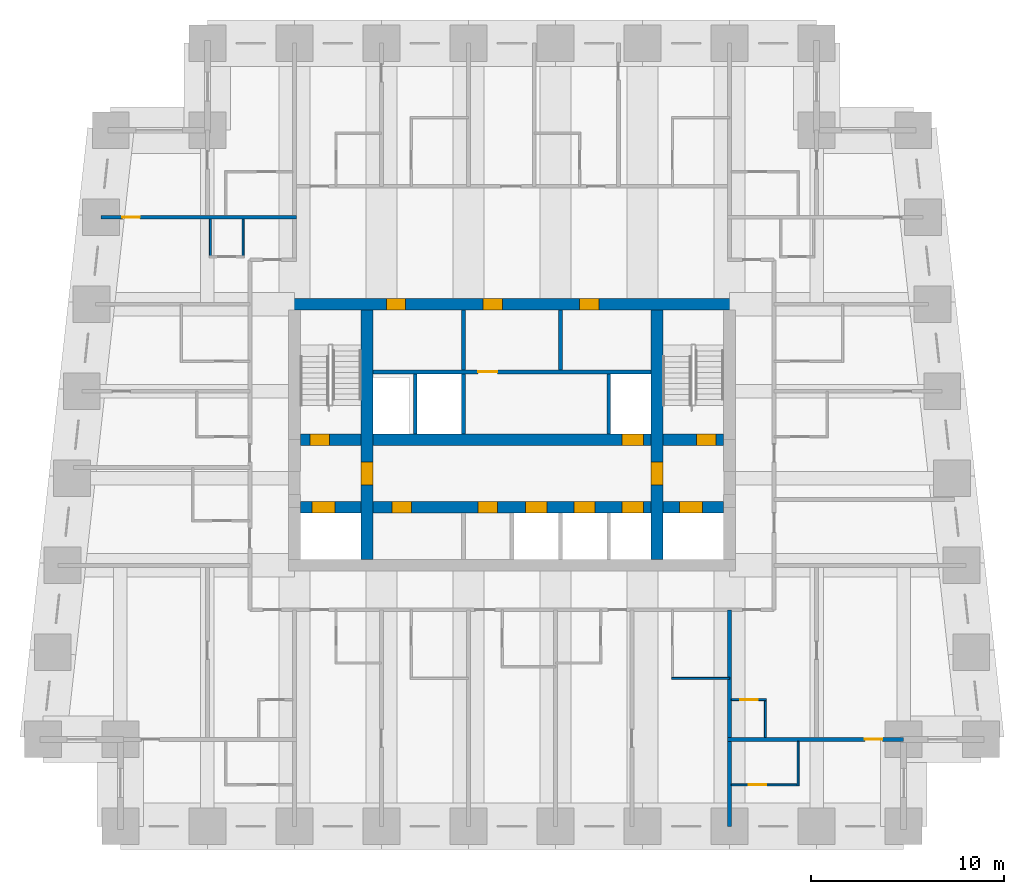
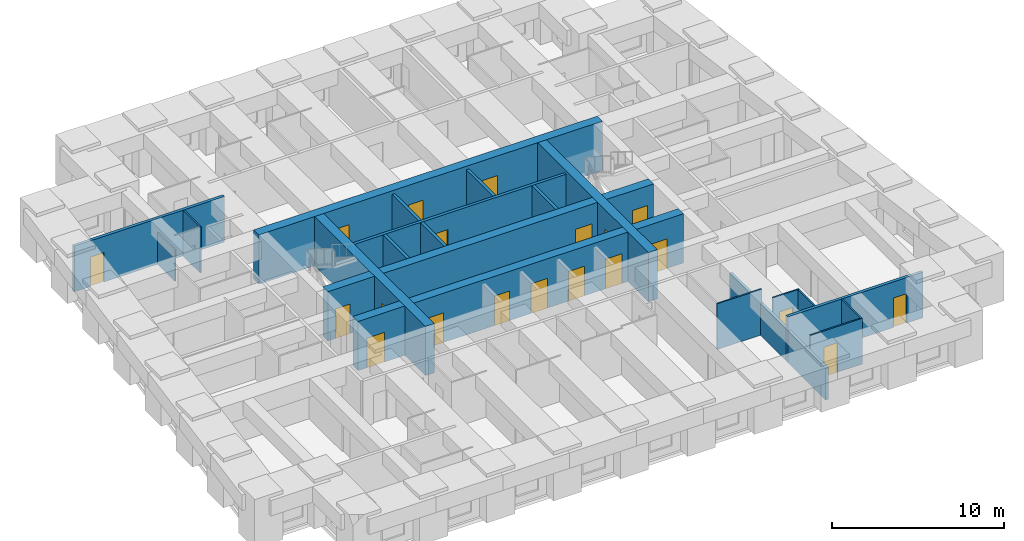
# One storey, part 4 of 8: 21 walls, 20 doors, 20 openings.
"""IFC4 building model written with IfcOpenShell, lengths in metres."""

from ifc_helpers import new_model, si_unit, direction, frame, frame_2d, origin, place, context, subcontext, project, spatial, rectangle, extrude, material, layer, layer_set, type_object, element, fill, save


model = new_model("IFC4")

# Units and contexts
model_context = context("Model", 3, precision=1e-05, world=origin(), true_north=direction((0.0, 1.0)))
body_context = subcontext(model_context, "Body", "Model", "MODEL_VIEW")
ifc_project = project(units=[si_unit("LENGTHUNIT", "METRE"), si_unit("AREAUNIT", "SQUARE_METRE"), si_unit("VOLUMEUNIT", "CUBIC_METRE"), si_unit("PLANEANGLEUNIT", "RADIAN"), si_unit("MASSUNIT", "GRAM", prefix="KILO")], contexts=[model_context])

# Site, building, storey
site_placement = place(None, origin())
site = spatial("IfcSite", under=ifc_project, at=site_placement, CompositionType="ELEMENT")
building_placement = place(site_placement, origin())
building = spatial("IfcBuilding", under=site, at=building_placement, Name="Kilele Tower Hotel", CompositionType="ELEMENT")
storey_placement = place(building_placement, frame((0.0, 0.0, 138.89990234375)))
storey = spatial("IfcBuildingStorey", under=building, at=storey_placement, Name="L36", CompositionType="ELEMENT", Elevation=138.89990234375)

# Walls
ifc_material_1 = material(Name="Moisture-resistant board")
ifc_layer_1 = layer(ifc_material_1, 0.10009765625)
ifc_layer_set_1 = layer_set([ifc_layer_1], Name="Moisture-resistant board")
wall_type_1 = type_object("IfcWallType", Name="Bathroom partition 100", PredefinedType="PLUMBINGWALL", material=ifc_layer_set_1)
wall_1_placement = place(storey_placement, frame((33.0, 7.64990234375, 0.0), z_axis=(0.0, 0.0, 1.0), x_axis=(1.0, 0.0, 0.0)))
element("IfcWall", 1, at=wall_1_placement, inside=storey, type_object=wall_type_1, Name="Bathroom partition 100 L36", PredefinedType="PLUMBINGWALL", context=body_context, shape_type="SweptSolid", body=[
    extrude(rectangle(XDim=3.0, YDim=0.10009765625, at=frame_2d((1.5, 0.0))), origin(), (0.0, 0.0, 1.0), 3.25),
])
wall_2_placement = place(storey_placement, frame((37.85009765625, 4.60009765625, 0.0), z_axis=(0.0, 0.0, 1.0), x_axis=(0.0, 1.0, 0.0)))
element("IfcWall", 2, at=wall_2_placement, inside=storey, type_object=wall_type_1, Name="Bathroom partition 100 L36", PredefinedType="PLUMBINGWALL", context=body_context, shape_type="SweptSolid", body=[
    extrude(rectangle(XDim=2.0, YDim=0.10009765625, at=frame_2d((1.0, 0.0))), origin(), (0.0, 0.0, 1.0), 3.25),
])

# Wall, opening, door
wall_3_placement = place(storey_placement, frame((36.10009765625, 6.550048828125, 0.0), z_axis=(0.0, 0.0, 1.0), x_axis=(1.0, 0.0, 0.0)))
wall_3 = element("IfcWall", 3, at=wall_3_placement, inside=storey, type_object=wall_type_1, Name="Bathroom partition 100 L36", PredefinedType="PLUMBINGWALL", context=body_context, shape_type="SweptSolid", body=[
    extrude(rectangle(XDim=1.7998046875, YDim=0.10009765625, at=frame_2d((0.89990234375, 0.0))), origin(), (0.0, 0.0, 1.0), 3.25),
])
opening_1_placement = place(wall_3_placement, frame((0.449951171875, 0.0, 0.0)))
opening_1 = element("IfcOpeningElement", 4, at=opening_1_placement, cuts=wall_3, Name="Opening D2A", PredefinedType="OPENING", context=body_context, shape_type="SweptSolid", body=[
    extrude(rectangle(XDim=0.89990234375, YDim=2.10009765625, at=frame_2d((0.449951171875, 1.050048828125))), frame((0.0, 0.06005859375, 0.0), z_axis=(0.0, -1.0, 0.0), x_axis=(1.0, 0.0, 0.0)), (0.0, 0.0, 1.0), 0.1201171875),
])
ifc_material_2 = material(Name="Timber door leaf in hardwood frame", Category="wood")
door_type_1 = type_object("IfcDoorType", Name="Bathroom door 900", OperationType="SINGLE_SWING_LEFT", PredefinedType="DOOR", material=ifc_material_2)
door_1_placement = place(opening_1_placement, origin())
door_1 = element("IfcDoor", 5, at=door_1_placement, inside=storey, type_object=door_type_1, Name="Bathroom door 3620P", OperationType="SINGLE_SWING_LEFT", OverallHeight=2.10009765625, OverallWidth=0.89990234375, PredefinedType="DOOR", context=body_context, shape_type="SweptSolid", body=[
    extrude(rectangle(XDim=0.89990234375, YDim=2.10009765625, at=frame_2d((0.449951171875, 1.050048828125))), frame((0.0, 0.02490234375, 0.0), z_axis=(0.0, -1.0, 0.0), x_axis=(1.0, 0.0, 0.0)), (0.0, 0.0, 1.0), 0.050048828125),
])
fill(opening_1, door_1)

# Wall
wall_4_placement = place(storey_placement, frame((39.550048828125, 4.39990234375, 0.0), z_axis=(0.0, 0.0, 1.0), x_axis=(0.0, -1.0, 0.0)))
element("IfcWall", 6, at=wall_4_placement, inside=storey, type_object=wall_type_1, Name="Bathroom partition 100 L36", PredefinedType="PLUMBINGWALL", context=body_context, shape_type="SweptSolid", body=[
    extrude(rectangle(XDim=2.2998046875, YDim=0.10009765625, at=frame_2d((1.14990234375, 0.0))), origin(), (0.0, 0.0, 1.0), 3.25),
])

# Wall, opening, door
wall_5_placement = place(storey_placement, frame((36.10009765625, 2.14990234375, 0.0), z_axis=(0.0, 0.0, 1.0), x_axis=(1.0, 0.0, 0.0)))
wall_5 = element("IfcWall", 7, at=wall_5_placement, inside=storey, type_object=wall_type_1, Name="Bathroom partition 100 L36", PredefinedType="PLUMBINGWALL", context=body_context, shape_type="SweptSolid", body=[
    extrude(rectangle(XDim=3.5, YDim=0.10009765625, at=frame_2d((1.75, 0.0))), origin(), (0.0, 0.0, 1.0), 3.25),
])
opening_2_placement = place(wall_5_placement, frame((1.7998046875, 0.0, 0.0), z_axis=(0.0, 0.0, 1.0), x_axis=(-1.0, 0.0, 0.0)))
opening_2 = element("IfcOpeningElement", 8, at=opening_2_placement, cuts=wall_5, Name="Opening D2A", PredefinedType="OPENING", context=body_context, shape_type="SweptSolid", body=[
    extrude(rectangle(XDim=0.89990234375, YDim=2.10009765625, at=frame_2d((0.449951171875, 1.050048828125))), frame((0.0, 0.06005859375, 0.0), z_axis=(0.0, -1.0, 0.0), x_axis=(1.0, 0.0, 0.0)), (0.0, 0.0, 1.0), 0.1201171875),
])
door_2_placement = place(opening_2_placement, origin())
door_2 = element("IfcDoor", 9, at=door_2_placement, inside=storey, type_object=door_type_1, Name="Bathroom door 3622B", OperationType="SINGLE_SWING_RIGHT", OverallHeight=2.10009765625, OverallWidth=0.89990234375, PredefinedType="DOOR", context=body_context, shape_type="SweptSolid", body=[
    extrude(rectangle(XDim=0.89990234375, YDim=2.10009765625, at=frame_2d((0.449951171875, 1.050048828125))), frame((0.0, 0.02490234375, 0.0), z_axis=(0.0, -1.0, 0.0), x_axis=(1.0, 0.0, 0.0)), (0.0, 0.0, 1.0), 0.050048828125),
])
fill(opening_2, door_2)

# Walls
wall_6_placement = place(storey_placement, frame((9.14990234375, 31.39990234375, 0.0), z_axis=(0.0, 0.0, 1.0), x_axis=(0.0, -1.0, 0.0)))
element("IfcWall", 10, at=wall_6_placement, inside=storey, type_object=wall_type_1, Name="Bathroom partition 100 L36", PredefinedType="PLUMBINGWALL", context=body_context, shape_type="SweptSolid", body=[
    extrude(rectangle(XDim=2.0, YDim=0.10009765625, at=frame_2d((1.0, 0.0))), origin(), (0.0, 0.0, 1.0), 2.25),
])
wall_7_placement = place(storey_placement, frame((10.85009765625, 31.39990234375, 0.0), z_axis=(0.0, 0.0, 1.0), x_axis=(0.0, -1.0, 0.0)))
element("IfcWall", 11, at=wall_7_placement, inside=storey, type_object=wall_type_1, Name="Bathroom partition 100 L36", PredefinedType="PLUMBINGWALL", context=body_context, shape_type="SweptSolid", body=[
    extrude(rectangle(XDim=2.0, YDim=0.10009765625, at=frame_2d((1.0, 0.0))), origin(), (0.0, 0.0, 1.0), 3.25),
])

# Wall, openings, doors
ifc_material_3 = material(Name="Concrete C60/75", Category="concrete")
ifc_layer_2 = layer(ifc_material_3, 0.60009765625)
ifc_layer_set_2 = layer_set([ifc_layer_2], Name="Concrete C60/75")
wall_type_2 = type_object("IfcWallType", Name="Core wall 600 C60/75", PredefinedType="SHEAR", material=ifc_layer_set_2)
wall_8_placement = place(storey_placement, frame((36.300048828125, 27.0, 0.0), z_axis=(0.0, 0.0, 1.0), x_axis=(-1.0, 0.0, 0.0)))
wall_8 = element("IfcWall", 12, at=wall_8_placement, inside=storey, type_object=wall_type_2, Name="Core wall N L36", PredefinedType="SHEAR", context=body_context, shape_type="SweptSolid", body=[
    extrude(rectangle(XDim=23.10009765625, YDim=0.60009765625, at=frame_2d((11.550048828125, 0.0))), origin(), (0.0, 0.0, 1.0), 3.5),
])
opening_3_placement = place(wall_8_placement, frame((17.050048828125, 0.0, 0.0)))
opening_3 = element("IfcOpeningElement", 13, at=opening_3_placement, cuts=wall_8, Name="Opening D6", PredefinedType="OPENING", context=body_context, shape_type="SweptSolid", body=[
    extrude(rectangle(XDim=1.0, YDim=2.10009765625, at=frame_2d((0.5, 1.050048828125))), frame((0.0, 0.31005859375, 0.0), z_axis=(0.0, -1.0, 0.0), x_axis=(1.0, 0.0, 0.0)), (0.0, 0.0, 1.0), 0.6201171875),
])
opening_4_placement = place(wall_8_placement, frame((12.050048828125, 0.0, 0.0)))
opening_4 = element("IfcOpeningElement", 14, at=opening_4_placement, cuts=wall_8, Name="Opening D6", PredefinedType="OPENING", context=body_context, shape_type="SweptSolid", body=[
    extrude(rectangle(XDim=1.0, YDim=2.10009765625, at=frame_2d((0.5, 1.050048828125))), frame((0.0, 0.31005859375, 0.0), z_axis=(0.0, -1.0, 0.0), x_axis=(1.0, 0.0, 0.0)), (0.0, 0.0, 1.0), 0.6201171875),
])
opening_5_placement = place(wall_8_placement, frame((7.050048828125, 0.0, 0.0)))
opening_5 = element("IfcOpeningElement", 15, at=opening_5_placement, cuts=wall_8, Name="Opening D6", PredefinedType="OPENING", context=body_context, shape_type="SweptSolid", body=[
    extrude(rectangle(XDim=1.0, YDim=2.10009765625, at=frame_2d((0.5, 1.050048828125))), frame((0.0, 0.31005859375, 0.0), z_axis=(0.0, -1.0, 0.0), x_axis=(1.0, 0.0, 0.0)), (0.0, 0.0, 1.0), 0.6201171875),
])
ifc_material_4 = material(Name="Timber door leaf in hardwood frame", Category="wood")
door_type_2 = type_object("IfcDoorType", Name="Riser door 1000", OperationType="SINGLE_SWING_LEFT", PredefinedType="DOOR", material=ifc_material_4)
door_3_placement = place(opening_3_placement, origin())
door_3 = element("IfcDoor", 16, at=door_3_placement, inside=storey, type_object=door_type_2, Name="Service riser door L36", OperationType="SINGLE_SWING_RIGHT", OverallHeight=2.10009765625, OverallWidth=1.0, PredefinedType="DOOR", context=body_context, shape_type="SweptSolid", body=[
    extrude(rectangle(XDim=1.0, YDim=2.10009765625, at=frame_2d((0.5, 1.050048828125))), frame((0.0, 0.2998046875, 0.0), z_axis=(0.0, -1.0, 0.0), x_axis=(1.0, 0.0, 0.0)), (0.0, 0.0, 1.0), 0.599609375),
])
fill(opening_3, door_3)
door_4_placement = place(opening_4_placement, origin())
door_4 = element("IfcDoor", 17, at=door_4_placement, inside=storey, type_object=door_type_2, Name="Linen store door L36", OperationType="SINGLE_SWING_RIGHT", OverallHeight=2.10009765625, OverallWidth=1.0, PredefinedType="DOOR", context=body_context, shape_type="SweptSolid", body=[
    extrude(rectangle(XDim=1.0, YDim=2.10009765625, at=frame_2d((0.5, 1.050048828125))), frame((0.0, 0.2998046875, 0.0), z_axis=(0.0, -1.0, 0.0), x_axis=(1.0, 0.0, 0.0)), (0.0, 0.0, 1.0), 0.599609375),
])
fill(opening_4, door_4)
door_5_placement = place(opening_5_placement, origin())
door_5 = element("IfcDoor", 18, at=door_5_placement, inside=storey, type_object=door_type_2, Name="Electrical riser door L36", OperationType="SINGLE_SWING_RIGHT", OverallHeight=2.10009765625, OverallWidth=1.0, PredefinedType="DOOR", context=body_context, shape_type="SweptSolid", body=[
    extrude(rectangle(XDim=1.0, YDim=2.10009765625, at=frame_2d((0.5, 1.050048828125))), frame((0.0, 0.2998046875, 0.0), z_axis=(0.0, -1.0, 0.0), x_axis=(1.0, 0.0, 0.0)), (0.0, 0.0, 1.0), 0.599609375),
])
fill(opening_5, door_5)

# Wall, opening, door
wall_9_placement = place(storey_placement, frame((17.25, 13.800048828125, 0.0), z_axis=(0.0, 0.0, 1.0), x_axis=(0.0, 1.0, 0.0)))
wall_9 = element("IfcWall", 19, at=wall_9_placement, inside=storey, type_object=wall_type_2, Name="Core wall IW L36", PredefinedType="SHEAR", context=body_context, shape_type="SweptSolid", body=[
    extrude(rectangle(XDim=12.89990234375, YDim=0.60009765625, at=frame_2d((6.449951171875, 0.0))), origin(), (0.0, 0.0, 1.0), 3.5),
])
opening_6_placement = place(wall_9_placement, frame((3.85009765625, 0.0, 0.0)))
opening_6 = element("IfcOpeningElement", 20, at=opening_6_placement, cuts=wall_9, Name="Opening D4", PredefinedType="OPENING", context=body_context, shape_type="SweptSolid", body=[
    extrude(rectangle(XDim=1.199951171875, YDim=2.10009765625, at=frame_2d((0.60009765625, 1.050048828125))), frame((0.0, 0.31005859375, 0.0), z_axis=(0.0, -1.0, 0.0), x_axis=(1.0, 0.0, 0.0)), (0.0, 0.0, 1.0), 0.6201171875),
])
ifc_material_5 = material(Name="Timber door leaf in hardwood frame", Category="wood")
door_type_3 = type_object("IfcDoorType", Name="Firefighting lobby door 1200", OperationType="SINGLE_SWING_LEFT", PredefinedType="DOOR", material=ifc_material_5)
door_6_placement = place(opening_6_placement, origin())
door_6 = element("IfcDoor", 21, at=door_6_placement, inside=storey, type_object=door_type_3, Name="Lobby door L36", OperationType="SINGLE_SWING_LEFT", OverallHeight=2.10009765625, OverallWidth=1.199951171875, PredefinedType="DOOR", context=body_context, shape_type="SweptSolid", body=[
    extrude(rectangle(XDim=1.199951171875, YDim=2.10009765625, at=frame_2d((0.60009765625, 1.050048828125))), frame((0.0, 0.2998046875, 0.0), z_axis=(0.0, -1.0, 0.0), x_axis=(1.0, 0.0, 0.0)), (0.0, 0.0, 1.0), 0.599609375),
])
fill(opening_6, door_6)

wall_10_placement = place(storey_placement, frame((32.25, 13.800048828125, 0.0), z_axis=(0.0, 0.0, 1.0), x_axis=(0.0, 1.0, 0.0)))
wall_10 = element("IfcWall", 22, at=wall_10_placement, inside=storey, type_object=wall_type_2, Name="Core wall IE L36", PredefinedType="SHEAR", context=body_context, shape_type="SweptSolid", body=[
    extrude(rectangle(XDim=12.89990234375, YDim=0.60009765625, at=frame_2d((6.449951171875, 0.0))), origin(), (0.0, 0.0, 1.0), 3.5),
])
opening_7_placement = place(wall_10_placement, frame((5.050048828125, 0.0, 0.0), z_axis=(0.0, 0.0, 1.0), x_axis=(-1.0, 0.0, 0.0)))
opening_7 = element("IfcOpeningElement", 23, at=opening_7_placement, cuts=wall_10, Name="Opening D4", PredefinedType="OPENING", context=body_context, shape_type="SweptSolid", body=[
    extrude(rectangle(XDim=1.199951171875, YDim=2.10009765625, at=frame_2d((0.60009765625, 1.050048828125))), frame((0.0, 0.31005859375, 0.0), z_axis=(0.0, -1.0, 0.0), x_axis=(1.0, 0.0, 0.0)), (0.0, 0.0, 1.0), 0.6201171875),
])
door_7_placement = place(opening_7_placement, origin())
door_7 = element("IfcDoor", 24, at=door_7_placement, inside=storey, type_object=door_type_3, Name="Lobby door L36", OperationType="SINGLE_SWING_RIGHT", OverallHeight=2.10009765625, OverallWidth=1.199951171875, PredefinedType="DOOR", context=body_context, shape_type="SweptSolid", body=[
    extrude(rectangle(XDim=1.199951171875, YDim=2.10009765625, at=frame_2d((0.60009765625, 1.050048828125))), frame((0.0, 0.2998046875, 0.0), z_axis=(0.0, -1.0, 0.0), x_axis=(1.0, 0.0, 0.0)), (0.0, 0.0, 1.0), 0.599609375),
])
fill(opening_7, door_7)

# Wall, openings, doors
wall_11_placement = place(storey_placement, frame((13.800048828125, 16.5, 0.0), z_axis=(0.0, 0.0, 1.0), x_axis=(1.0, 0.0, 0.0)))
wall_11 = element("IfcWall", 25, at=wall_11_placement, inside=storey, type_object=wall_type_2, Name="Core wall LS L36", PredefinedType="SHEAR", context=body_context, shape_type="SweptSolid", body=[
    extrude(rectangle(XDim=21.89990234375, YDim=0.60009765625, at=frame_2d((10.949951171875, 0.0))), origin(), (0.0, 0.0, 1.0), 3.5),
])
opening_8_placement = place(wall_11_placement, frame((11.64990234375, 0.0, 0.0)))
opening_8 = element("IfcOpeningElement", 26, at=opening_8_placement, cuts=wall_11, Name="Opening LD1", PredefinedType="OPENING", context=body_context, shape_type="SweptSolid", body=[
    extrude(rectangle(XDim=1.10009765625, YDim=2.10009765625, at=frame_2d((0.550048828125, 1.050048828125))), frame((0.0, 0.31005859375, 0.0), z_axis=(0.0, -1.0, 0.0), x_axis=(1.0, 0.0, 0.0)), (0.0, 0.0, 1.0), 0.6201171875),
])
opening_9_placement = place(wall_11_placement, frame((14.14990234375, 0.0, 0.0)))
opening_9 = element("IfcOpeningElement", 27, at=opening_9_placement, cuts=wall_11, Name="Opening LD1", PredefinedType="OPENING", context=body_context, shape_type="SweptSolid", body=[
    extrude(rectangle(XDim=1.10009765625, YDim=2.10009765625, at=frame_2d((0.550048828125, 1.050048828125))), frame((0.0, 0.31005859375, 0.0), z_axis=(0.0, -1.0, 0.0), x_axis=(1.0, 0.0, 0.0)), (0.0, 0.0, 1.0), 0.6201171875),
])
opening_10_placement = place(wall_11_placement, frame((16.64990234375, 0.0, 0.0)))
opening_10 = element("IfcOpeningElement", 28, at=opening_10_placement, cuts=wall_11, Name="Opening LD1", PredefinedType="OPENING", context=body_context, shape_type="SweptSolid", body=[
    extrude(rectangle(XDim=1.10009765625, YDim=2.10009765625, at=frame_2d((0.550048828125, 1.050048828125))), frame((0.0, 0.31005859375, 0.0), z_axis=(0.0, -1.0, 0.0), x_axis=(1.0, 0.0, 0.0)), (0.0, 0.0, 1.0), 0.6201171875),
])
opening_11_placement = place(wall_11_placement, frame((5.75, 0.0, 0.0), z_axis=(0.0, 0.0, 1.0), x_axis=(-1.0, 0.0, 0.0)))
opening_11 = element("IfcOpeningElement", 29, at=opening_11_placement, cuts=wall_11, Name="Opening D11", PredefinedType="OPENING", context=body_context, shape_type="SweptSolid", body=[
    extrude(rectangle(XDim=1.0, YDim=2.10009765625, at=frame_2d((0.5, 1.050048828125))), frame((0.0, 0.31005859375, 0.0), z_axis=(0.0, -1.0, 0.0), x_axis=(1.0, 0.0, 0.0)), (0.0, 0.0, 1.0), 0.6201171875),
])
opening_12_placement = place(wall_11_placement, frame((10.199951171875, 0.0, 0.0), z_axis=(0.0, 0.0, 1.0), x_axis=(-1.0, 0.0, 0.0)))
opening_12 = element("IfcOpeningElement", 30, at=opening_12_placement, cuts=wall_11, Name="Opening D11", PredefinedType="OPENING", context=body_context, shape_type="SweptSolid", body=[
    extrude(rectangle(XDim=1.0, YDim=2.10009765625, at=frame_2d((0.5, 1.050048828125))), frame((0.0, 0.31005859375, 0.0), z_axis=(0.0, -1.0, 0.0), x_axis=(1.0, 0.0, 0.0)), (0.0, 0.0, 1.0), 0.6201171875),
])
opening_13_placement = place(wall_11_placement, frame((0.60009765625, 0.0, 0.0)))
opening_13 = element("IfcOpeningElement", 31, at=opening_13_placement, cuts=wall_11, Name="Opening LD2", PredefinedType="OPENING", context=body_context, shape_type="SweptSolid", body=[
    extrude(rectangle(XDim=1.199951171875, YDim=2.10009765625, at=frame_2d((0.60009765625, 1.050048828125))), frame((0.0, 0.31005859375, 0.0), z_axis=(0.0, -1.0, 0.0), x_axis=(1.0, 0.0, 0.0)), (0.0, 0.0, 1.0), 0.6201171875),
])
opening_14_placement = place(wall_11_placement, frame((19.60009765625, 0.0, 0.0)))
opening_14 = element("IfcOpeningElement", 32, at=opening_14_placement, cuts=wall_11, Name="Opening LD2", PredefinedType="OPENING", context=body_context, shape_type="SweptSolid", body=[
    extrude(rectangle(XDim=1.199951171875, YDim=2.10009765625, at=frame_2d((0.60009765625, 1.050048828125))), frame((0.0, 0.31005859375, 0.0), z_axis=(0.0, -1.0, 0.0), x_axis=(1.0, 0.0, 0.0)), (0.0, 0.0, 1.0), 0.6201171875),
])
ifc_material_6 = material(Name="Timber door leaf in hardwood frame", Category="wood")
door_type_4 = type_object("IfcDoorType", Name="Core store door 1000", OperationType="SINGLE_SWING_LEFT", PredefinedType="DOOR", material=ifc_material_6)
door_8_placement = place(opening_11_placement, origin())
door_8 = element("IfcDoor", 33, at=door_8_placement, inside=storey, type_object=door_type_4, Name="Core room door L1 L36", OperationType="SINGLE_SWING_RIGHT", OverallHeight=2.10009765625, OverallWidth=1.0, PredefinedType="DOOR", context=body_context, shape_type="SweptSolid", body=[
    extrude(rectangle(XDim=1.0, YDim=2.10009765625, at=frame_2d((0.5, 1.050048828125))), frame((0.0, 0.2998046875, 0.0), z_axis=(0.0, -1.0, 0.0), x_axis=(1.0, 0.0, 0.0)), (0.0, 0.0, 1.0), 0.599609375),
])
fill(opening_11, door_8)
door_9_placement = place(opening_12_placement, origin())
door_9 = element("IfcDoor", 34, at=door_9_placement, inside=storey, type_object=door_type_4, Name="Core room door L3 L36", OperationType="SINGLE_SWING_RIGHT", OverallHeight=2.10009765625, OverallWidth=1.0, PredefinedType="DOOR", context=body_context, shape_type="SweptSolid", body=[
    extrude(rectangle(XDim=1.0, YDim=2.10009765625, at=frame_2d((0.5, 1.050048828125))), frame((0.0, 0.2998046875, 0.0), z_axis=(0.0, -1.0, 0.0), x_axis=(1.0, 0.0, 0.0)), (0.0, 0.0, 1.0), 0.599609375),
])
fill(opening_12, door_9)
ifc_material_7 = material(Name="Steel lift landing door", Category="steel")
door_type_5 = type_object("IfcDoorType", Name="Firefighting lift landing door 1200", OperationType="SLIDING_TO_LEFT", PredefinedType="DOOR", material=ifc_material_7)
door_10_placement = place(opening_13_placement, origin())
door_10 = element("IfcDoor", 35, at=door_10_placement, inside=storey, type_object=door_type_5, Name="Landing door FFW L36", OperationType="SLIDING_TO_LEFT", OverallHeight=2.10009765625, OverallWidth=1.199951171875, PredefinedType="DOOR", context=body_context, shape_type="SweptSolid", body=[
    extrude(rectangle(XDim=1.199951171875, YDim=2.10009765625, at=frame_2d((0.60009765625, 1.050048828125))), frame((0.0, 0.2998046875, 0.0), z_axis=(0.0, -1.0, 0.0), x_axis=(1.0, 0.0, 0.0)), (0.0, 0.0, 1.0), 0.599609375),
])
fill(opening_13, door_10)
door_11_placement = place(opening_14_placement, origin())
door_11 = element("IfcDoor", 36, at=door_11_placement, inside=storey, type_object=door_type_5, Name="Landing door FFE L36", OperationType="SLIDING_TO_LEFT", OverallHeight=2.10009765625, OverallWidth=1.199951171875, PredefinedType="DOOR", context=body_context, shape_type="SweptSolid", body=[
    extrude(rectangle(XDim=1.199951171875, YDim=2.10009765625, at=frame_2d((0.60009765625, 1.050048828125))), frame((0.0, 0.2998046875, 0.0), z_axis=(0.0, -1.0, 0.0), x_axis=(1.0, 0.0, 0.0)), (0.0, 0.0, 1.0), 0.599609375),
])
fill(opening_14, door_11)
ifc_material_8 = material(Name="Steel lift landing door", Category="steel")
door_type_6 = type_object("IfcDoorType", Name="Lift landing door 1100", OperationType="SLIDING_TO_LEFT", PredefinedType="DOOR", material=ifc_material_8)
door_12_placement = place(opening_8_placement, origin())
door_12 = element("IfcDoor", 37, at=door_12_placement, inside=storey, type_object=door_type_6, Name="Landing door M1 L36", OperationType="SLIDING_TO_LEFT", OverallHeight=2.10009765625, OverallWidth=1.10009765625, PredefinedType="DOOR", context=body_context, shape_type="SweptSolid", body=[
    extrude(rectangle(XDim=1.10009765625, YDim=2.10009765625, at=frame_2d((0.550048828125, 1.050048828125))), frame((0.0, 0.2998046875, 0.0), z_axis=(0.0, -1.0, 0.0), x_axis=(1.0, 0.0, 0.0)), (0.0, 0.0, 1.0), 0.599609375),
])
fill(opening_8, door_12)
door_13_placement = place(opening_9_placement, origin())
door_13 = element("IfcDoor", 38, at=door_13_placement, inside=storey, type_object=door_type_6, Name="Landing door M2 L36", OperationType="SLIDING_TO_LEFT", OverallHeight=2.10009765625, OverallWidth=1.10009765625, PredefinedType="DOOR", context=body_context, shape_type="SweptSolid", body=[
    extrude(rectangle(XDim=1.10009765625, YDim=2.10009765625, at=frame_2d((0.550048828125, 1.050048828125))), frame((0.0, 0.2998046875, 0.0), z_axis=(0.0, -1.0, 0.0), x_axis=(1.0, 0.0, 0.0)), (0.0, 0.0, 1.0), 0.599609375),
])
fill(opening_9, door_13)
door_14_placement = place(opening_10_placement, origin())
door_14 = element("IfcDoor", 39, at=door_14_placement, inside=storey, type_object=door_type_6, Name="Landing door M3 L36", OperationType="SLIDING_TO_LEFT", OverallHeight=2.10009765625, OverallWidth=1.10009765625, PredefinedType="DOOR", context=body_context, shape_type="SweptSolid", body=[
    extrude(rectangle(XDim=1.10009765625, YDim=2.10009765625, at=frame_2d((0.550048828125, 1.050048828125))), frame((0.0, 0.2998046875, 0.0), z_axis=(0.0, -1.0, 0.0), x_axis=(1.0, 0.0, 0.0)), (0.0, 0.0, 1.0), 0.599609375),
])
fill(opening_10, door_14)

wall_12_placement = place(storey_placement, frame((13.800048828125, 20.0, 0.0), z_axis=(0.0, 0.0, 1.0), x_axis=(1.0, 0.0, 0.0)))
wall_12 = element("IfcWall", 40, at=wall_12_placement, inside=storey, type_object=wall_type_2, Name="Core wall LN L36", PredefinedType="SHEAR", context=body_context, shape_type="SweptSolid", body=[
    extrude(rectangle(XDim=21.89990234375, YDim=0.60009765625, at=frame_2d((10.949951171875, 0.0))), origin(), (0.0, 0.0, 1.0), 3.5),
])
opening_15_placement = place(wall_12_placement, frame((0.5, 0.0, 0.0)))
opening_15 = element("IfcOpeningElement", 41, at=opening_15_placement, cuts=wall_12, Name="Opening D5", PredefinedType="OPENING", context=body_context, shape_type="SweptSolid", body=[
    extrude(rectangle(XDim=1.0, YDim=2.10009765625, at=frame_2d((0.5, 1.050048828125))), frame((0.0, 0.31005859375, 0.0), z_axis=(0.0, -1.0, 0.0), x_axis=(1.0, 0.0, 0.0)), (0.0, 0.0, 1.0), 0.6201171875),
])
opening_16_placement = place(wall_12_placement, frame((20.5, 0.0, 0.0)))
opening_16 = element("IfcOpeningElement", 42, at=opening_16_placement, cuts=wall_12, Name="Opening D5", PredefinedType="OPENING", context=body_context, shape_type="SweptSolid", body=[
    extrude(rectangle(XDim=1.0, YDim=2.10009765625, at=frame_2d((0.5, 1.050048828125))), frame((0.0, 0.31005859375, 0.0), z_axis=(0.0, -1.0, 0.0), x_axis=(1.0, 0.0, 0.0)), (0.0, 0.0, 1.0), 0.6201171875),
])
opening_17_placement = place(wall_12_placement, frame((16.64990234375, 0.0, 0.0)))
opening_17 = element("IfcOpeningElement", 43, at=opening_17_placement, cuts=wall_12, Name="Opening LD1", PredefinedType="OPENING", context=body_context, shape_type="SweptSolid", body=[
    extrude(rectangle(XDim=1.10009765625, YDim=2.10009765625, at=frame_2d((0.550048828125, 1.050048828125))), frame((0.0, 0.31005859375, 0.0), z_axis=(0.0, -1.0, 0.0), x_axis=(1.0, 0.0, 0.0)), (0.0, 0.0, 1.0), 0.6201171875),
])
door_15_placement = place(opening_17_placement, origin())
door_15 = element("IfcDoor", 44, at=door_15_placement, inside=storey, type_object=door_type_6, Name="Landing door G1 L36", OperationType="SLIDING_TO_LEFT", OverallHeight=2.10009765625, OverallWidth=1.10009765625, PredefinedType="DOOR", context=body_context, shape_type="SweptSolid", body=[
    extrude(rectangle(XDim=1.10009765625, YDim=2.10009765625, at=frame_2d((0.550048828125, 1.050048828125))), frame((0.0, 0.2998046875, 0.0), z_axis=(0.0, -1.0, 0.0), x_axis=(1.0, 0.0, 0.0)), (0.0, 0.0, 1.0), 0.599609375),
])
fill(opening_17, door_15)
ifc_material_9 = material(Name="Timber door leaf in hardwood frame", Category="wood")
door_type_7 = type_object("IfcDoorType", Name="Stair door 1000", OperationType="SINGLE_SWING_LEFT", PredefinedType="DOOR", material=ifc_material_9)
door_16_placement = place(opening_15_placement, origin())
door_16 = element("IfcDoor", 45, at=door_16_placement, inside=storey, type_object=door_type_7, Name="Stair 1 door L36", OperationType="SINGLE_SWING_LEFT", OverallHeight=2.10009765625, OverallWidth=1.0, PredefinedType="DOOR", context=body_context, shape_type="SweptSolid", body=[
    extrude(rectangle(XDim=1.0, YDim=2.10009765625, at=frame_2d((0.5, 1.050048828125))), frame((0.0, 0.2998046875, 0.0), z_axis=(0.0, -1.0, 0.0), x_axis=(1.0, 0.0, 0.0)), (0.0, 0.0, 1.0), 0.599609375),
])
fill(opening_15, door_16)
door_17_placement = place(opening_16_placement, origin())
door_17 = element("IfcDoor", 46, at=door_17_placement, inside=storey, type_object=door_type_7, Name="Stair 2 door L36", OperationType="SINGLE_SWING_RIGHT", OverallHeight=2.10009765625, OverallWidth=1.0, PredefinedType="DOOR", context=body_context, shape_type="SweptSolid", body=[
    extrude(rectangle(XDim=1.0, YDim=2.10009765625, at=frame_2d((0.5, 1.050048828125))), frame((0.0, 0.2998046875, 0.0), z_axis=(0.0, -1.0, 0.0), x_axis=(1.0, 0.0, 0.0)), (0.0, 0.0, 1.0), 0.599609375),
])
fill(opening_16, door_17)

# Wall
ifc_material_10 = material(Name="Blockwork, plastered both sides", Category="masonry")
ifc_layer_3 = layer(ifc_material_10, 0.199951171875)
ifc_layer_set_3 = layer_set([ifc_layer_3], Name="Blockwork, plastered both sides")
wall_type_3 = type_object("IfcWallType", Name="Party wall 200", PredefinedType="PARTITIONING", material=ifc_layer_set_3)
wall_13_placement = place(storey_placement, frame((36.0, 11.199951171875, 0.0), z_axis=(0.0, 0.0, 1.0), x_axis=(0.0, -1.0, 0.0)))
element("IfcWall", 47, at=wall_13_placement, inside=storey, type_object=wall_type_3, Name="Party wall 200 L36", PredefinedType="PARTITIONING", context=body_context, shape_type="SweptSolid", body=[
    extrude(rectangle(XDim=11.199951171875, YDim=0.199951171875, at=frame_2d((5.60009765625, 0.0))), origin(), (0.0, 0.0, 1.0), 2.25),
])

# Wall, opening, door
wall_14_placement = place(storey_placement, frame((35.89990234375, 4.5, 0.0), z_axis=(0.0, 0.0, 1.0), x_axis=(1.0, 0.0, 0.0)))
wall_14 = element("IfcWall", 48, at=wall_14_placement, inside=storey, type_object=wall_type_3, Name="Party wall 200 L36", PredefinedType="PARTITIONING", context=body_context, shape_type="SweptSolid", body=[
    extrude(rectangle(XDim=9.10009765625, YDim=0.199951171875, at=frame_2d((4.550048828125, 0.0))), origin(), (0.0, 0.0, 1.0), 3.25),
])
opening_18_placement = place(wall_14_placement, frame((7.10009765625, 0.0, 0.0)))
opening_18 = element("IfcOpeningElement", 49, at=opening_18_placement, cuts=wall_14, Name="Opening D3", PredefinedType="OPENING", context=body_context, shape_type="SweptSolid", body=[
    extrude(rectangle(XDim=0.89990234375, YDim=2.10009765625, at=frame_2d((0.449951171875, 1.050048828125))), frame((0.0, 0.10986328125, 0.0), z_axis=(0.0, -1.0, 0.0), x_axis=(1.0, 0.0, 0.0)), (0.0, 0.0, 1.0), 0.219970703125),
])
ifc_material_11 = material(Name="Timber door leaf in hardwood frame", Category="wood")
door_type_8 = type_object("IfcDoorType", Name="Suite internal door 900", OperationType="SINGLE_SWING_LEFT", PredefinedType="DOOR", material=ifc_material_11)
door_18_placement = place(opening_18_placement, origin())
door_18 = element("IfcDoor", 50, at=door_18_placement, inside=storey, type_object=door_type_8, Name="Suite door 3622", OperationType="SINGLE_SWING_RIGHT", OverallHeight=2.10009765625, OverallWidth=0.89990234375, PredefinedType="DOOR", context=body_context, shape_type="SweptSolid", body=[
    extrude(rectangle(XDim=0.89990234375, YDim=2.10009765625, at=frame_2d((0.449951171875, 1.050048828125))), frame((0.0, 0.02490234375, 0.0), z_axis=(0.0, -1.0, 0.0), x_axis=(1.0, 0.0, 0.0)), (0.0, 0.0, 1.0), 0.050048828125),
])
fill(opening_18, door_18)

wall_15_placement = place(storey_placement, frame((13.60009765625, 31.5, 0.0), z_axis=(0.0, 0.0, 1.0), x_axis=(-1.0, 0.0, 0.0)))
wall_15 = element("IfcWall", 51, at=wall_15_placement, inside=storey, type_object=wall_type_3, Name="Party wall 200 L36", PredefinedType="PARTITIONING", context=body_context, shape_type="SweptSolid", body=[
    extrude(rectangle(XDim=10.09912109375, YDim=0.199951171875, at=frame_2d((5.049560546875, 0.0))), origin(), (0.0, 0.0, 1.0), 3.25),
])
opening_19_placement = place(wall_15_placement, frame((8.9990234375, 0.0, 0.0), z_axis=(0.0, 0.0, 1.0), x_axis=(-1.0, 0.0, 0.0)))
opening_19 = element("IfcOpeningElement", 52, at=opening_19_placement, cuts=wall_15, Name="Opening D3", PredefinedType="OPENING", context=body_context, shape_type="SweptSolid", body=[
    extrude(rectangle(XDim=0.89990234375, YDim=2.10009765625, at=frame_2d((0.449951171875, 1.050048828125))), frame((0.0, 0.10986328125, 0.0), z_axis=(0.0, -1.0, 0.0), x_axis=(1.0, 0.0, 0.0)), (0.0, 0.0, 1.0), 0.219970703125),
])
door_19_placement = place(opening_19_placement, origin())
door_19 = element("IfcDoor", 53, at=door_19_placement, inside=storey, type_object=door_type_8, Name="Suite door 3627", OperationType="SINGLE_SWING_LEFT", OverallHeight=2.10009765625, OverallWidth=0.89990234375, PredefinedType="DOOR", context=body_context, shape_type="SweptSolid", body=[
    extrude(rectangle(XDim=0.89990234375, YDim=2.10009765625, at=frame_2d((0.449951171875, 1.050048828125))), frame((0.0, 0.02490234375, 0.0), z_axis=(0.0, -1.0, 0.0), x_axis=(1.0, 0.0, 0.0)), (0.0, 0.0, 1.0), 0.050048828125),
])
fill(opening_19, door_19)

# Walls
ifc_material_12 = material(Name="Blockwork, fire-rated", Category="masonry")
ifc_layer_4 = layer(ifc_material_12, 0.199951171875)
ifc_layer_set_4 = layer_set([ifc_layer_4], Name="Blockwork, fire-rated")
wall_type_4 = type_object("IfcWallType", Name="Shaft wall 200", PredefinedType="PARTITIONING", material=ifc_layer_set_4)
for number, where, z_axis, x_axis, name in (
    (54, (19.75, 20.300048828125, 0.0), (0.0, 0.0, 1.0), (0.0, 1.0, 0.0), "Shaft wall 200 L36"),
    (55, (22.25, 20.300048828125, 0.0), (0.0, 0.0, 1.0), (0.0, 1.0, 0.0), "Shaft wall 200 L36"),
    (56, (29.75, 20.300048828125, 0.0), (0.0, 0.0, 1.0), (0.0, 1.0, 0.0), "Shaft wall 200 L36"),
):
    element("IfcWall", number, at=place(storey_placement, frame(where, z_axis=z_axis, x_axis=x_axis)), inside=storey, type_object=wall_type_4, Name=name, PredefinedType="PARTITIONING", context=body_context, shape_type="SweptSolid", body=[
        extrude(rectangle(XDim=3.099853515625, YDim=0.199951171875, at=frame_2d((1.5498046875, 0.0))), origin(), (0.0, 0.0, 1.0), 3.25),
    ])

# Wall, opening, door
wall_16_placement = place(storey_placement, frame((17.550048828125, 23.5, 0.0), z_axis=(0.0, 0.0, 1.0), x_axis=(1.0, 0.0, 0.0)))
wall_16 = element("IfcWall", 57, at=wall_16_placement, inside=storey, type_object=wall_type_4, Name="Shaft wall 200 L36", PredefinedType="PARTITIONING", context=body_context, shape_type="SweptSolid", body=[
    extrude(rectangle(XDim=14.39990234375, YDim=0.199951171875, at=frame_2d((7.199951171875, 0.0))), origin(), (0.0, 0.0, 1.0), 3.25),
])
opening_20_placement = place(wall_16_placement, frame((5.449951171875, 0.0, 0.0)))
opening_20 = element("IfcOpeningElement", 58, at=opening_20_placement, cuts=wall_16, Name="Opening D11", PredefinedType="OPENING", context=body_context, shape_type="SweptSolid", body=[
    extrude(rectangle(XDim=1.0, YDim=2.10009765625, at=frame_2d((0.5, 1.050048828125))), frame((0.0, 0.10986328125, 0.0), z_axis=(0.0, -1.0, 0.0), x_axis=(1.0, 0.0, 0.0)), (0.0, 0.0, 1.0), 0.219970703125),
])
door_20_placement = place(opening_20_placement, origin())
door_20 = element("IfcDoor", 59, at=door_20_placement, inside=storey, type_object=door_type_4, Name="Core room door H1", OperationType="SINGLE_SWING_LEFT", OverallHeight=2.10009765625, OverallWidth=1.0, PredefinedType="DOOR", context=body_context, shape_type="SweptSolid", body=[
    extrude(rectangle(XDim=1.0, YDim=2.10009765625, at=frame_2d((0.5, 1.050048828125))), frame((0.0, 0.02490234375, 0.0), z_axis=(0.0, -1.0, 0.0), x_axis=(1.0, 0.0, 0.0)), (0.0, 0.0, 1.0), 0.050048828125),
])
fill(opening_20, door_20)

# Walls
for number, where, z_axis, x_axis, name in (
    (60, (22.25, 23.60009765625, 0.0), (0.0, 0.0, 1.0), (0.0, 1.0, 0.0), "Shaft wall 200 L36"),
    (61, (27.25, 23.60009765625, 0.0), (0.0, 0.0, 1.0), (0.0, 1.0, 0.0), "Shaft wall 200 L36"),
):
    element("IfcWall", number, at=place(storey_placement, frame(where, z_axis=z_axis, x_axis=x_axis)), inside=storey, type_object=wall_type_4, Name=name, PredefinedType="PARTITIONING", context=body_context, shape_type="SweptSolid", body=[
        extrude(rectangle(XDim=3.099853515625, YDim=0.199951171875, at=frame_2d((1.5498046875, 0.0))), origin(), (0.0, 0.0, 1.0), 3.25),
    ])

save(model, "model.ifc")
